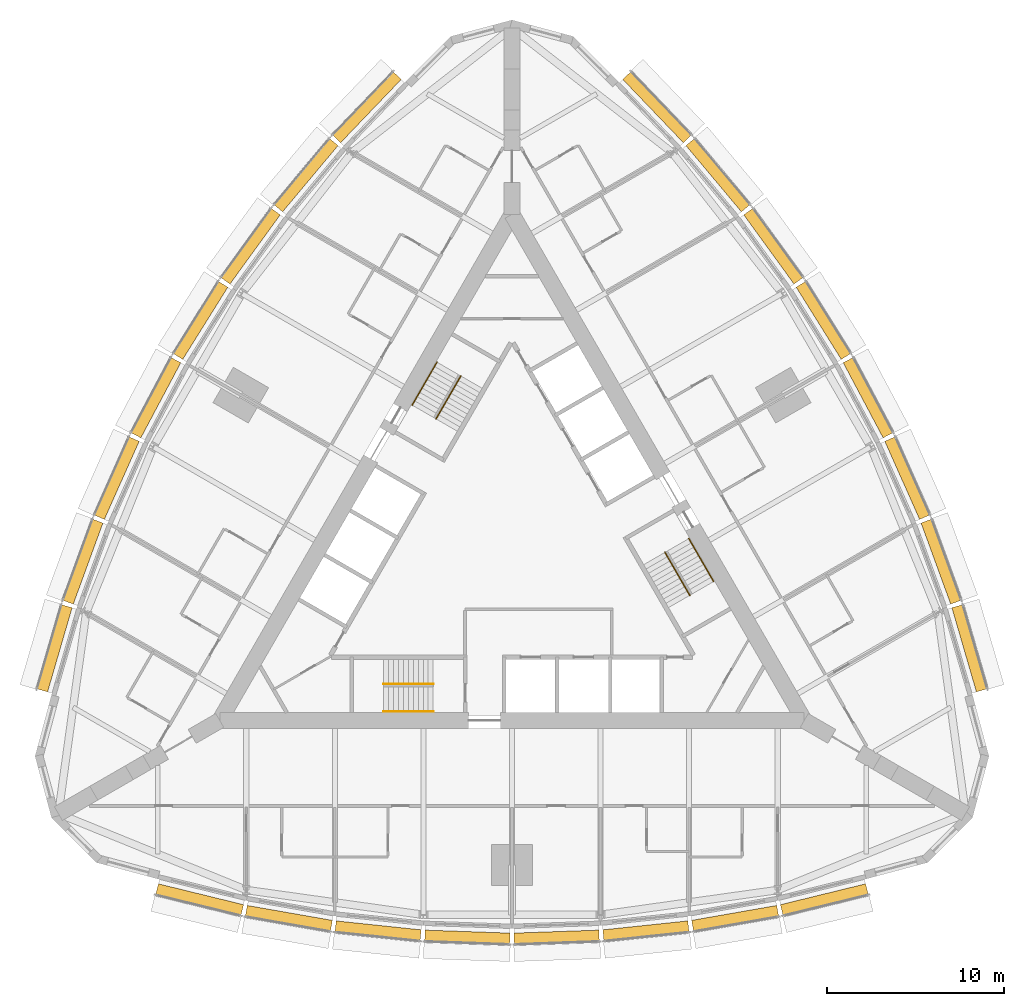
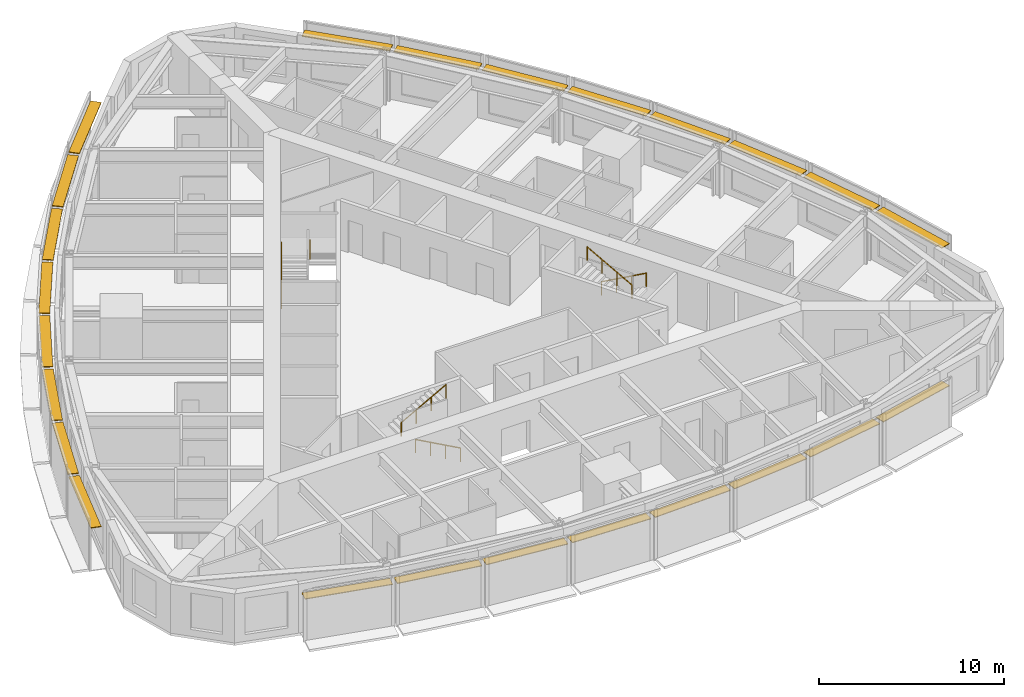
# One storey, part 14 of 14: 24 shading devices, 6 railings.
"""IFC4 building model written with IfcOpenShell, lengths in metres."""

from ifc_helpers import new_model, si_unit, direction, frame, origin, origin_2d, place, context, subcontext, project, spatial, rectangle, circle, extrude, material, type_object, element, save


model = new_model("IFC4")

# Units and contexts
model_context = context("Model", 3, precision=1e-05, world=origin(), true_north=direction((0.0, 1.0)))
body_context = subcontext(model_context, "Body", "Model", "MODEL_VIEW")
ifc_project = project(units=[si_unit("LENGTHUNIT", "METRE"), si_unit("AREAUNIT", "SQUARE_METRE"), si_unit("VOLUMEUNIT", "CUBIC_METRE"), si_unit("PLANEANGLEUNIT", "RADIAN"), si_unit("MASSUNIT", "GRAM", prefix="KILO")], contexts=[model_context])

# Site, building, storey
site_placement = place(None, origin())
site = spatial("IfcSite", under=ifc_project, at=site_placement, CompositionType="ELEMENT")
building_placement = place(site_placement, origin())
building = spatial("IfcBuilding", under=site, at=building_placement, Name="Trikona Tower", CompositionType="ELEMENT")
storey_placement = place(building_placement, frame((0.0, 0.0, 162.300048828125)))
storey = spatial("IfcBuildingStorey", under=building, at=storey_placement, Name="L43", CompositionType="ELEMENT", Elevation=162.300048828125)

# Shading devices
ifc_material_1 = material(Name="Aluminium louvre blade, pale anodised", Category="aluminium")
shading_device_type = type_object("IfcShadingDeviceType", Name="Cavity louvre 600", PredefinedType="USERDEFINED", material=ifc_material_1)
shading_device_1_placement = place(storey_placement, frame((-17.63330078125, -19.631591796875, 2.77490234375), z_axis=(0.0, 0.0, 1.0), x_axis=(0.971274411564, -0.237962218516, 0.0)))
element("IfcShadingDevice", 1, at=shading_device_1_placement, inside=storey, type_object=shading_device_type, Name="Cavity louvre L43-00", ObjectType="LOUVRE", PredefinedType="USERDEFINED", context=body_context, shape_type="SweptSolid", body=[
    extrude(rectangle(XDim=4.947998046875, YDim=0.60009765625, at=origin_2d()), origin(), (0.0, 0.0, 1.0), 0.050048828125),
])
shading_device_2_placement = place(storey_placement, frame((-12.596435546875, -20.689208984375, 2.77490234375), z_axis=(0.0, 0.0, 1.0), x_axis=(0.985030604067, -0.172379549401, 0.0)))
element("IfcShadingDevice", 2, at=shading_device_2_placement, inside=storey, type_object=shading_device_type, Name="Cavity louvre L43-01", ObjectType="LOUVRE", PredefinedType="USERDEFINED", context=body_context, shape_type="SweptSolid", body=[
    extrude(rectangle(XDim=4.8759765625, YDim=0.60009765625, at=origin_2d()), origin(), (0.0, 0.0, 1.0), 0.050048828125),
])
shading_device_3_placement = place(storey_placement, frame((-7.55859375, -21.39453125, 2.77490234375), z_axis=(0.0, 0.0, 1.0), x_axis=(0.994532653854, -0.104426052392, 0.0)))
element("IfcShadingDevice", 3, at=shading_device_3_placement, inside=storey, type_object=shading_device_type, Name="Cavity louvre L43-02", ObjectType="LOUVRE", PredefinedType="USERDEFINED", context=body_context, shape_type="SweptSolid", body=[
    extrude(rectangle(XDim=4.827392578125, YDim=0.60009765625, at=origin_2d()), origin(), (0.0, 0.0, 1.0), 0.050048828125),
])
for number, where, z_axis, x_axis, name in (
    (4, (-2.51953125, -21.747314453125, 2.77490234375), (0.0, 0.0, 1.0), (0.999388082937, -0.034977988567, 0.0), "Cavity louvre L43-03"),
    (5, (2.51953125, -21.747314453125, 2.77490234375), (0.0, 0.0, 1.0), (0.999388082937, 0.034977988567, 0.0), "Cavity louvre L43-04"),
):
    element("IfcShadingDevice", number, at=place(storey_placement, frame(where, z_axis=z_axis, x_axis=x_axis)), inside=storey, type_object=shading_device_type, Name=name, ObjectType="LOUVRE", PredefinedType="USERDEFINED", context=body_context, shape_type="SweptSolid", body=[
        extrude(rectangle(XDim=4.802978515625, YDim=0.60009765625, at=origin_2d()), origin(), (0.0, 0.0, 1.0), 0.050048828125),
    ])
shading_device_4_placement = place(storey_placement, frame((7.55859375, -21.39453125, 2.77490234375), z_axis=(0.0, 0.0, 1.0), x_axis=(0.994532653854, 0.104426052392, 0.0)))
element("IfcShadingDevice", 6, at=shading_device_4_placement, inside=storey, type_object=shading_device_type, Name="Cavity louvre L43-05", ObjectType="LOUVRE", PredefinedType="USERDEFINED", context=body_context, shape_type="SweptSolid", body=[
    extrude(rectangle(XDim=4.827392578125, YDim=0.60009765625, at=origin_2d()), origin(), (0.0, 0.0, 1.0), 0.050048828125),
])
shading_device_5_placement = place(storey_placement, frame((12.596435546875, -20.689208984375, 2.77490234375), z_axis=(0.0, 0.0, 1.0), x_axis=(0.985030604067, 0.172379549401, 0.0)))
element("IfcShadingDevice", 7, at=shading_device_5_placement, inside=storey, type_object=shading_device_type, Name="Cavity louvre L43-06", ObjectType="LOUVRE", PredefinedType="USERDEFINED", context=body_context, shape_type="SweptSolid", body=[
    extrude(rectangle(XDim=4.8759765625, YDim=0.60009765625, at=origin_2d()), origin(), (0.0, 0.0, 1.0), 0.050048828125),
])
shading_device_6_placement = place(storey_placement, frame((17.63330078125, -19.631591796875, 2.77490234375), z_axis=(0.0, 0.0, 1.0), x_axis=(0.971274411564, 0.237962218516, 0.0)))
element("IfcShadingDevice", 8, at=shading_device_6_placement, inside=storey, type_object=shading_device_type, Name="Cavity louvre L43-07", ObjectType="LOUVRE", PredefinedType="USERDEFINED", context=body_context, shape_type="SweptSolid", body=[
    extrude(rectangle(XDim=4.947998046875, YDim=0.60009765625, at=origin_2d()), origin(), (0.0, 0.0, 1.0), 0.050048828125),
])
shading_device_7_placement = place(storey_placement, frame((25.818115234375, -5.455078125, 2.77490234375), z_axis=(0.0, 0.0, 1.0), x_axis=(-0.279554203664, 0.960129911634, 0.0)))
element("IfcShadingDevice", 9, at=shading_device_7_placement, inside=storey, type_object=shading_device_type, Name="Cavity louvre L43-12", ObjectType="LOUVRE", PredefinedType="USERDEFINED", context=body_context, shape_type="SweptSolid", body=[
    extrude(rectangle(XDim=4.94775390625, YDim=0.60009765625, at=origin_2d()), origin(), (0.0, 0.0, 1.0), 0.050048828125),
])
shading_device_8_placement = place(storey_placement, frame((24.2158203125, -0.564208984375, 2.77490234375), z_axis=(0.0, 0.0, 1.0), x_axis=(-0.343220397324, 0.939254895575, 0.0)))
element("IfcShadingDevice", 10, at=shading_device_8_placement, inside=storey, type_object=shading_device_type, Name="Cavity louvre L43-13", ObjectType="LOUVRE", PredefinedType="USERDEFINED", context=body_context, shape_type="SweptSolid", body=[
    extrude(rectangle(XDim=4.8759765625, YDim=0.60009765625, at=origin_2d()), origin(), (0.0, 0.0, 1.0), 0.050048828125),
])
shading_device_9_placement = place(storey_placement, frame((22.3076171875, 4.151611328125, 2.77490234375), z_axis=(0.0, 0.0, 1.0), x_axis=(-0.406843467615, 0.913497888809, 0.0)))
element("IfcShadingDevice", 11, at=shading_device_9_placement, inside=storey, type_object=shading_device_type, Name="Cavity louvre L43-14", ObjectType="LOUVRE", PredefinedType="USERDEFINED", context=body_context, shape_type="SweptSolid", body=[
    extrude(rectangle(XDim=4.827392578125, YDim=0.60009765625, at=origin_2d()), origin(), (0.0, 0.0, 1.0), 0.050048828125),
])
for number, where, z_axis, x_axis, name in (
    (12, (20.093505859375, 8.691650390625, 2.77490234375), (0.0, 0.0, 1.0), (-0.469397591494, 0.882986920118, 0.0), "Cavity louvre L43-15"),
    (13, (17.573974609375, 13.0556640625, 2.77490234375), (0.0, 0.0, 1.0), (-0.529994748414, 0.848000923734, 0.0), "Cavity louvre L43-16"),
):
    element("IfcShadingDevice", number, at=place(storey_placement, frame(where, z_axis=z_axis, x_axis=x_axis)), inside=storey, type_object=shading_device_type, Name=name, ObjectType="LOUVRE", PredefinedType="USERDEFINED", context=body_context, shape_type="SweptSolid", body=[
        extrude(rectangle(XDim=4.802978515625, YDim=0.60009765625, at=origin_2d()), origin(), (0.0, 0.0, 1.0), 0.050048828125),
    ])
shading_device_10_placement = place(storey_placement, frame((14.7490234375, 17.2431640625, 2.77490234375), z_axis=(0.0, 0.0, 1.0), x_axis=(-0.587686407834, 0.809088799853, 0.0)))
element("IfcShadingDevice", 14, at=shading_device_10_placement, inside=storey, type_object=shading_device_type, Name="Cavity louvre L43-17", ObjectType="LOUVRE", PredefinedType="USERDEFINED", context=body_context, shape_type="SweptSolid", body=[
    extrude(rectangle(XDim=4.827392578125, YDim=0.60009765625, at=origin_2d()), origin(), (0.0, 0.0, 1.0), 0.050048828125),
])
shading_device_11_placement = place(storey_placement, frame((11.619140625, 21.253662109375, 2.77490234375), z_axis=(0.0, 0.0, 1.0), x_axis=(-0.641807063101, 0.766866151133, 0.0)))
element("IfcShadingDevice", 15, at=shading_device_11_placement, inside=storey, type_object=shading_device_type, Name="Cavity louvre L43-18", ObjectType="LOUVRE", PredefinedType="USERDEFINED", context=body_context, shape_type="SweptSolid", body=[
    extrude(rectangle(XDim=4.8759765625, YDim=0.60009765625, at=origin_2d()), origin(), (0.0, 0.0, 1.0), 0.050048828125),
])
for number, where, z_axis, x_axis, name in (
    (16, (8.184814453125, 25.086669921875, 2.77490234375), (0.0, 0.0, 1.0), (-0.691723573819, 0.722162376078, 0.0), "Cavity louvre L43-19"),
    (17, (-8.184814453125, 25.086669921875, 2.77490234375), (0.0, 0.0, 1.0), (-0.691723573819, -0.722162376078, 0.0), "Cavity louvre L43-24"),
):
    element("IfcShadingDevice", number, at=place(storey_placement, frame(where, z_axis=z_axis, x_axis=x_axis)), inside=storey, type_object=shading_device_type, Name=name, ObjectType="LOUVRE", PredefinedType="USERDEFINED", context=body_context, shape_type="SweptSolid", body=[
        extrude(rectangle(XDim=4.947998046875, YDim=0.60009765625, at=origin_2d()), origin(), (0.0, 0.0, 1.0), 0.050048828125),
    ])
shading_device_12_placement = place(storey_placement, frame((-11.619140625, 21.253662109375, 2.77490234375), z_axis=(0.0, 0.0, 1.0), x_axis=(-0.641807063101, -0.766866151133, 0.0)))
element("IfcShadingDevice", 18, at=shading_device_12_placement, inside=storey, type_object=shading_device_type, Name="Cavity louvre L43-25", ObjectType="LOUVRE", PredefinedType="USERDEFINED", context=body_context, shape_type="SweptSolid", body=[
    extrude(rectangle(XDim=4.8759765625, YDim=0.60009765625, at=origin_2d()), origin(), (0.0, 0.0, 1.0), 0.050048828125),
])
shading_device_13_placement = place(storey_placement, frame((-14.7490234375, 17.2431640625, 2.77490234375), z_axis=(0.0, 0.0, 1.0), x_axis=(-0.587686407834, -0.809088799853, 0.0)))
element("IfcShadingDevice", 19, at=shading_device_13_placement, inside=storey, type_object=shading_device_type, Name="Cavity louvre L43-26", ObjectType="LOUVRE", PredefinedType="USERDEFINED", context=body_context, shape_type="SweptSolid", body=[
    extrude(rectangle(XDim=4.827392578125, YDim=0.60009765625, at=origin_2d()), origin(), (0.0, 0.0, 1.0), 0.050048828125),
])
for number, where, z_axis, x_axis, name in (
    (20, (-17.573974609375, 13.0556640625, 2.77490234375), (0.0, 0.0, 1.0), (-0.529994748414, -0.848000923734, 0.0), "Cavity louvre L43-27"),
    (21, (-20.093505859375, 8.691650390625, 2.77490234375), (0.0, 0.0, 1.0), (-0.469397591494, -0.882986920118, 0.0), "Cavity louvre L43-28"),
):
    element("IfcShadingDevice", number, at=place(storey_placement, frame(where, z_axis=z_axis, x_axis=x_axis)), inside=storey, type_object=shading_device_type, Name=name, ObjectType="LOUVRE", PredefinedType="USERDEFINED", context=body_context, shape_type="SweptSolid", body=[
        extrude(rectangle(XDim=4.802978515625, YDim=0.60009765625, at=origin_2d()), origin(), (0.0, 0.0, 1.0), 0.050048828125),
    ])
shading_device_14_placement = place(storey_placement, frame((-22.3076171875, 4.151611328125, 2.77490234375), z_axis=(0.0, 0.0, 1.0), x_axis=(-0.406843467615, -0.913497888809, 0.0)))
element("IfcShadingDevice", 22, at=shading_device_14_placement, inside=storey, type_object=shading_device_type, Name="Cavity louvre L43-29", ObjectType="LOUVRE", PredefinedType="USERDEFINED", context=body_context, shape_type="SweptSolid", body=[
    extrude(rectangle(XDim=4.827392578125, YDim=0.60009765625, at=origin_2d()), origin(), (0.0, 0.0, 1.0), 0.050048828125),
])
shading_device_15_placement = place(storey_placement, frame((-24.2158203125, -0.564208984375, 2.77490234375), z_axis=(0.0, 0.0, 1.0), x_axis=(-0.343220397324, -0.939254895575, 0.0)))
element("IfcShadingDevice", 23, at=shading_device_15_placement, inside=storey, type_object=shading_device_type, Name="Cavity louvre L43-30", ObjectType="LOUVRE", PredefinedType="USERDEFINED", context=body_context, shape_type="SweptSolid", body=[
    extrude(rectangle(XDim=4.8759765625, YDim=0.60009765625, at=origin_2d()), origin(), (0.0, 0.0, 1.0), 0.050048828125),
])
shading_device_16_placement = place(storey_placement, frame((-25.818115234375, -5.455078125, 2.77490234375), z_axis=(0.0, 0.0, 1.0), x_axis=(-0.279554203664, -0.960129911634, 0.0)))
element("IfcShadingDevice", 24, at=shading_device_16_placement, inside=storey, type_object=shading_device_type, Name="Cavity louvre L43-31", ObjectType="LOUVRE", PredefinedType="USERDEFINED", context=body_context, shape_type="SweptSolid", body=[
    extrude(rectangle(XDim=4.94775390625, YDim=0.60009765625, at=origin_2d()), origin(), (0.0, 0.0, 1.0), 0.050048828125),
])

# Railings
ifc_material_2 = material(Name="Stainless steel handrail", Category="steel")
railing_type = type_object("IfcRailingType", Name="Stair handrail", PredefinedType="HANDRAIL", material=ifc_material_2)
railing_1_placement = place(storey_placement, frame((-4.449951171875, -9.016357421875, 0.154541015625)))
element("IfcRailing", 25, at=railing_1_placement, inside=storey, type_object=railing_type, Name="Stair handrail A L43 1", PredefinedType="HANDRAIL", context=body_context, shape_type="SweptSolid", body=[
    extrude(circle(Radius=0.02392578125, at=origin_2d()), frame((0.0, 0.0, 0.8759765625), z_axis=(-0.875504190374, 0.0, 0.483210526207), x_axis=(0.0, -1.0, 0.0)), (0.0, 0.0, 1.0), 3.1982421875),
    extrude(circle(Radius=0.02099609375, at=origin_2d()), origin(), (0.0, 0.0, 1.0), 0.851806640625),
    extrude(circle(Radius=0.02099609375, at=origin_2d()), frame((-0.933349609375, 0.0, 0.51513671875)), (0.0, 0.0, 1.0), 0.851806640625),
    extrude(circle(Radius=0.02099609375, at=origin_2d()), frame((-1.86669921875, 0.0, 1.0302734375)), (0.0, 0.0, 1.0), 0.851806640625),
    extrude(circle(Radius=0.02099609375, at=origin_2d()), frame((-2.800048828125, 0.0, 1.54541015625)), (0.0, 0.0, 1.0), 0.851806640625),
])
railing_2_placement = place(storey_placement, frame((-7.25, -7.46630859375, 1.8544921875)))
element("IfcRailing", 26, at=railing_2_placement, inside=storey, type_object=railing_type, Name="Stair handrail A L43 2", PredefinedType="HANDRAIL", context=body_context, shape_type="SweptSolid", body=[
    extrude(circle(Radius=0.02392578125, at=origin_2d()), frame((0.0, 0.0, 0.8759765625), z_axis=(0.875504190374, 0.0, 0.483210526207), x_axis=(0.0, 1.0, 0.0)), (0.0, 0.0, 1.0), 3.1982421875),
    extrude(circle(Radius=0.02099609375, at=origin_2d()), origin(), (0.0, 0.0, 1.0), 0.851806640625),
    extrude(circle(Radius=0.02099609375, at=origin_2d()), frame((0.933349609375, 0.0, 0.51513671875)), (0.0, 0.0, 1.0), 0.851806640625),
    extrude(circle(Radius=0.02099609375, at=origin_2d()), frame((1.86669921875, 0.0, 1.0302734375)), (0.0, 0.0, 1.0), 0.851806640625),
    extrude(circle(Radius=0.02099609375, at=origin_2d()), frame((2.800048828125, 0.0, 1.54541015625)), (0.0, 0.0, 1.0), 0.851806640625),
])
railing_3_placement = place(storey_placement, frame((9.9833984375, 0.740966796875, 0.154541015625)))
element("IfcRailing", 27, at=railing_3_placement, inside=storey, type_object=railing_type, Name="Stair handrail B L43 1", PredefinedType="HANDRAIL", context=body_context, shape_type="SweptSolid", body=[
    extrude(circle(Radius=0.02392578125, at=origin_2d()), frame((0.0, 0.0, 0.8759765625), z_axis=(0.437707188162, -0.758239536103, 0.483203087036), x_axis=(0.866056369097, 0.49994636267, 0.0)), (0.0, 0.0, 1.0), 3.1982421875),
    extrude(circle(Radius=0.02099609375, at=origin_2d()), origin(), (0.0, 0.0, 1.0), 0.851806640625),
    extrude(circle(Radius=0.02099609375, at=origin_2d()), frame((0.466552734375, -0.808349609375, 0.51513671875)), (0.0, 0.0, 1.0), 0.851806640625),
    extrude(circle(Radius=0.02099609375, at=origin_2d()), frame((0.933349609375, -1.61669921875, 1.0302734375)), (0.0, 0.0, 1.0), 0.851806640625),
    extrude(circle(Radius=0.02099609375, at=origin_2d()), frame((1.39990234375, -2.425048828125, 1.54541015625)), (0.0, 0.0, 1.0), 0.851806640625),
])
railing_4_placement = place(storey_placement, frame((10.041015625, -2.458984375, 1.8544921875)))
element("IfcRailing", 28, at=railing_4_placement, inside=storey, type_object=railing_type, Name="Stair handrail B L43 2", PredefinedType="HANDRAIL", context=body_context, shape_type="SweptSolid", body=[
    extrude(circle(Radius=0.02392578125, at=origin_2d()), frame((0.0, 0.0, 0.8759765625), z_axis=(-0.437707188162, 0.758239536103, 0.483203087036), x_axis=(-0.866056369097, -0.49994636267, 0.0)), (0.0, 0.0, 1.0), 3.1982421875),
    extrude(circle(Radius=0.02099609375, at=origin_2d()), origin(), (0.0, 0.0, 1.0), 0.851806640625),
    extrude(circle(Radius=0.02099609375, at=origin_2d()), frame((-0.466552734375, 0.808349609375, 0.51513671875)), (0.0, 0.0, 1.0), 0.851806640625),
    extrude(circle(Radius=0.02099609375, at=origin_2d()), frame((-0.933349609375, 1.61669921875, 1.0302734375)), (0.0, 0.0, 1.0), 0.851806640625),
    extrude(circle(Radius=0.02099609375, at=origin_2d()), frame((-1.39990234375, 2.425048828125, 1.54541015625)), (0.0, 0.0, 1.0), 0.851806640625),
])
railing_5_placement = place(storey_placement, frame((-5.63330078125, 8.275390625, 0.154541015625)))
element("IfcRailing", 29, at=railing_5_placement, inside=storey, type_object=railing_type, Name="Stair handrail C L43 1", PredefinedType="HANDRAIL", context=body_context, shape_type="SweptSolid", body=[
    extrude(circle(Radius=0.02392578125, at=origin_2d()), frame((0.0, 0.0, 0.8759765625), z_axis=(0.437732523806, 0.758207085183, 0.483231056102), x_axis=(-0.866034573852, 0.49998411664, 0.0)), (0.0, 0.0, 1.0), 3.197998046875),
    extrude(circle(Radius=0.02099609375, at=origin_2d()), origin(), (0.0, 0.0, 1.0), 0.851806640625),
    extrude(circle(Radius=0.02099609375, at=origin_2d()), frame((0.466552734375, 0.808349609375, 0.51513671875)), (0.0, 0.0, 1.0), 0.851806640625),
    extrude(circle(Radius=0.02099609375, at=origin_2d()), frame((0.933349609375, 1.616455078125, 1.0302734375)), (0.0, 0.0, 1.0), 0.851806640625),
    extrude(circle(Radius=0.02099609375, at=origin_2d()), frame((1.39990234375, 2.4248046875, 1.54541015625)), (0.0, 0.0, 1.0), 0.851806640625),
])
railing_6_placement = place(storey_placement, frame((-2.89111328125, 9.92529296875, 1.8544921875)))
element("IfcRailing", 30, at=railing_6_placement, inside=storey, type_object=railing_type, Name="Stair handrail C L43 2", PredefinedType="HANDRAIL", context=body_context, shape_type="SweptSolid", body=[
    extrude(circle(Radius=0.02392578125, at=origin_2d()), frame((0.0, 0.0, 0.8759765625), z_axis=(-0.437707188162, -0.758239536103, 0.483203087036), x_axis=(0.866056369097, -0.49994636267, 0.0)), (0.0, 0.0, 1.0), 3.1982421875),
    extrude(circle(Radius=0.02099609375, at=origin_2d()), origin(), (0.0, 0.0, 1.0), 0.851806640625),
    extrude(circle(Radius=0.02099609375, at=origin_2d()), frame((-0.466552734375, -0.808349609375, 0.51513671875)), (0.0, 0.0, 1.0), 0.851806640625),
    extrude(circle(Radius=0.02099609375, at=origin_2d()), frame((-0.933349609375, -1.61669921875, 1.0302734375)), (0.0, 0.0, 1.0), 0.851806640625),
    extrude(circle(Radius=0.02099609375, at=origin_2d()), frame((-1.39990234375, -2.425048828125, 1.54541015625)), (0.0, 0.0, 1.0), 0.851806640625),
])

save(model, "model.ifc")
